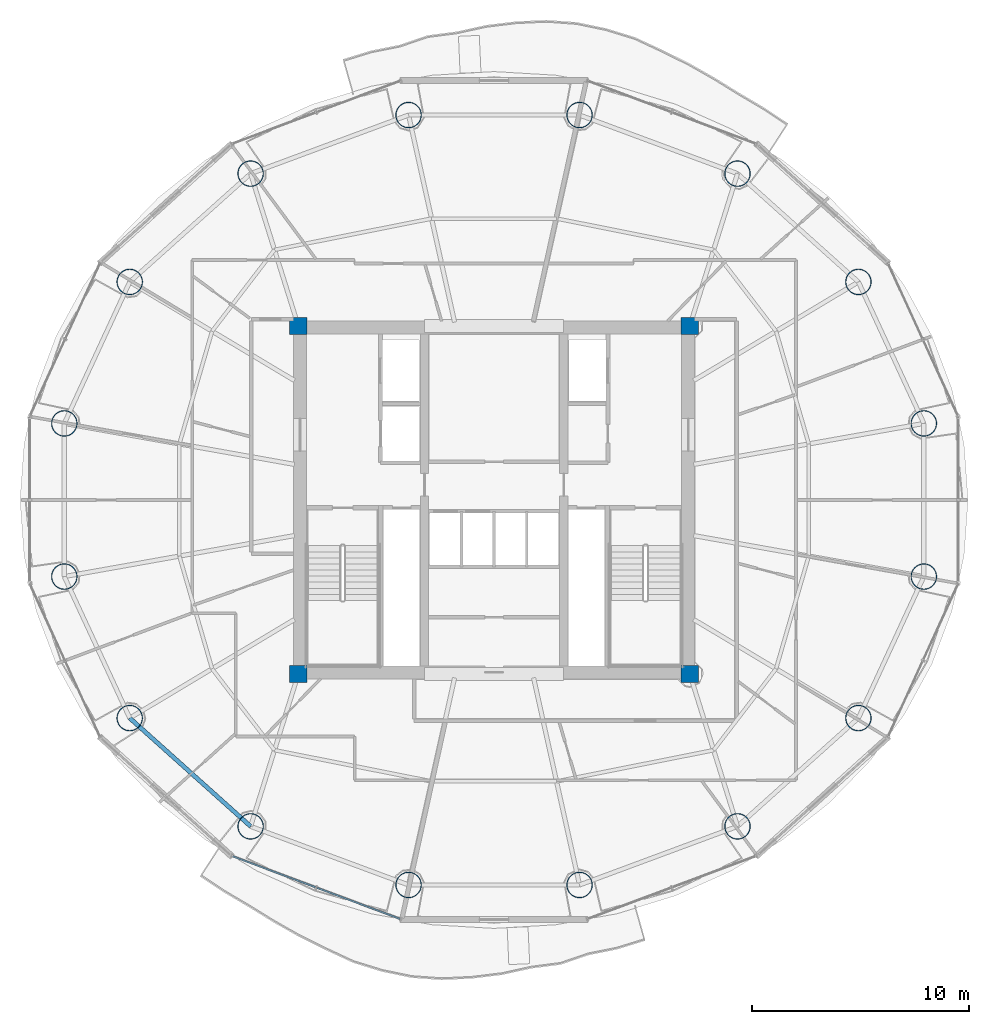
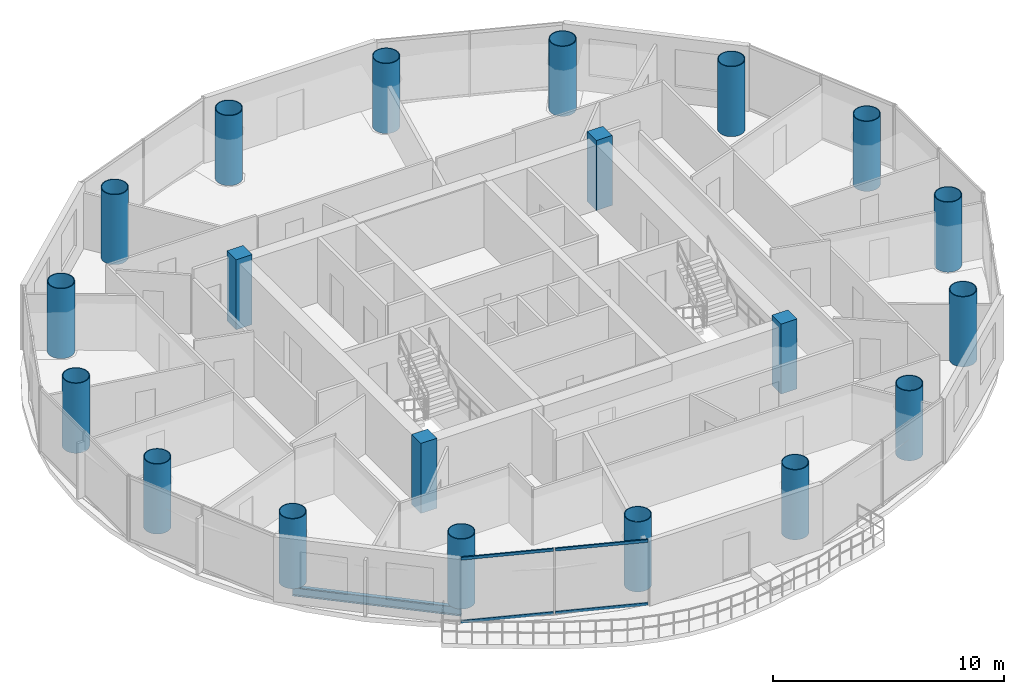
# One storey, part 1 of 26: 20 columns, 4 members, 1 beam, 1 element without a shape of its own.
"""IFC4 building model written with IfcOpenShell, lengths in metres."""

import ifcopenshell
import ifcopenshell.guid

model = None  # the IFC model being written
_history = None  # IfcOwnerHistory: only IFC2X3 demands one
_inside = {}  # id of a spatial element -> (the spatial element, [elements in it])
_under = {}  # id of a project, library or spatial element -> (it, [spatial elements below it])
_declared = {}  # id of a project -> (the project, [libraries it declares])
_typed = {}  # id of a type object -> (the type object, [elements of that type])
_made_of = {}  # id of a material, layer set ... -> (it, [elements and type objects made of it])


def new_model(schema):
    """Start an empty IFC model of exactly this schema.

    Asked for "IFC4X3", IfcOpenShell would pick the latest addendum, in which some entities
    have other attributes; the version numbers below select the first issue.
    IFC2X3 requires an IfcOwnerHistory on every rooted entity: one is made here for all.
    """
    global model, _history
    if schema == "IFC4X3":
        model = ifcopenshell.file(schema_version=(4, 3, 0, 0))
    else:
        model = ifcopenshell.file(schema=schema)
    _inside.clear()
    _under.clear()
    _declared.clear()
    _typed.clear()
    _made_of.clear()
    _history = None
    if model.schema == "IFC2X3":
        org = make("IfcOrganization", Name="unknown")
        user = make(
            "IfcPersonAndOrganization",
            ThePerson=make("IfcPerson", FamilyName="unknown"),
            TheOrganization=org,
        )
        app = make(
            "IfcApplication",
            ApplicationDeveloper=org,
            Version="unknown",
            ApplicationFullName="unknown",
            ApplicationIdentifier="unknown",
        )
        _history = make(
            "IfcOwnerHistory",
            OwningUser=user,
            OwningApplication=app,
            ChangeAction="ADDED",
            CreationDate=0,
        )
    return model


def make(cls, **values):
    """One entity of the class cls with the attributes given. An attribute that is None is left unset."""
    return model.create_entity(
        cls, **{name: value for name, value in values.items() if value is not None}
    )


def rooted(cls, **values):
    """An entity with a GlobalId (a new one), such as an element, a storey or a relation."""
    return make(cls, GlobalId=ifcopenshell.guid.new(), OwnerHistory=_history, **values)


def si_unit(unit_type, name, prefix=None):
    """IfcSIUnit, for example si_unit("LENGTHUNIT", "METRE", prefix="MILLI")."""
    return make("IfcSIUnit", UnitType=unit_type, Prefix=prefix, Name=name)


def assignment(units):
    """IfcUnitAssignment: the units of a project."""
    return None if units is None else make("IfcUnitAssignment", Units=units)


def point(xyz):
    """IfcCartesianPoint."""
    return None if xyz is None else make("IfcCartesianPoint", Coordinates=xyz)


def direction(xyz):
    """IfcDirection."""
    return None if xyz is None else make("IfcDirection", DirectionRatios=xyz)


def frame(location, z_axis=None, x_axis=None):
    """IfcAxis2Placement3D, a coordinate frame: its origin and axes. An axis left out is left unset."""
    return make(
        "IfcAxis2Placement3D",
        Location=point(location),
        Axis=direction(z_axis),
        RefDirection=direction(x_axis),
    )


def frame_2d(location, x_axis=None):
    """IfcAxis2Placement2D, a coordinate frame in the plane: its origin and x axis."""
    return make(
        "IfcAxis2Placement2D", Location=point(location), RefDirection=direction(x_axis)
    )


def origin():
    """The frame at (0, 0, 0) with its axes left unset."""
    return frame((0.0, 0.0, 0.0))


def origin_2d():
    """The frame at (0, 0) in the plane with its x axis left unset."""
    return frame_2d((0.0, 0.0))


def place(relative_to, where):
    """IfcLocalPlacement: puts the frame where relative to a parent placement (None: the world)."""
    return make(
        "IfcLocalPlacement", PlacementRelTo=relative_to, RelativePlacement=where
    )


def context(
    kind, dimensions, precision=None, world=None, true_north=None, identifier=None
):
    """IfcGeometricRepresentationContext, for example the 3D "Model" context."""
    return make(
        "IfcGeometricRepresentationContext",
        ContextIdentifier=identifier,
        ContextType=kind,
        CoordinateSpaceDimension=dimensions,
        Precision=precision,
        WorldCoordinateSystem=world,
        TrueNorth=true_north,
    )


def subcontext(parent, identifier, kind, view, scale=None):
    """IfcGeometricRepresentationSubContext, for example "Body" below "Model"."""
    return make(
        "IfcGeometricRepresentationSubContext",
        ContextIdentifier=identifier,
        ContextType=kind,
        ParentContext=parent,
        TargetScale=scale,
        TargetView=view,
    )


def project(units=None, contexts=None):
    """IfcProject with its units and contexts."""
    return rooted(
        "IfcProject",
        Name="project",
        RepresentationContexts=contexts,
        UnitsInContext=assignment(units),
    )


def spatial(cls, under=None, at=None, **own):
    """A site, building, storey or space (cls), placed at a placement, below another one or the project."""
    s = rooted(cls, ObjectPlacement=at, **own)
    if under is not None:
        _under.setdefault(under.id(), (under, []))[1].append(s)
    return s


def profile(cls, at=None, kind="AREA", **sizes):
    """A parametric profile (cls). Its sizes go by their IFC names, for example OverallWidth=200.0."""
    return make(cls, ProfileType=kind, Position=at, **sizes)


def rectangle(**sizes):
    """IfcRectangleProfileDef."""
    return profile("IfcRectangleProfileDef", **sizes)


def hollow_rectangle(**sizes):
    """IfcRectangleHollowProfileDef."""
    return profile("IfcRectangleHollowProfileDef", **sizes)


def hollow_circle(**sizes):
    """IfcCircleHollowProfileDef."""
    return profile("IfcCircleHollowProfileDef", **sizes)


def i_section(**sizes):
    """IfcIShapeProfileDef."""
    return profile("IfcIShapeProfileDef", **sizes)


def extrude(swept, where, along, depth):
    """IfcExtrudedAreaSolid: the profile swept, set in the frame where, extruded along a direction by depth."""
    return make(
        "IfcExtrudedAreaSolid",
        SweptArea=swept,
        Position=where,
        ExtrudedDirection=direction(along),
        Depth=depth,
    )


def shape(context_of_items, identifier, shape_type, items):
    """IfcShapeRepresentation: the items that make up one representation, for example the "Body"."""
    return make(
        "IfcShapeRepresentation",
        ContextOfItems=context_of_items,
        RepresentationIdentifier=identifier,
        RepresentationType=shape_type,
        Items=items,
    )


def source(mapping_origin, context_of_items, identifier, shape_type, items):
    """IfcRepresentationMap: a shape defined once, which mapped items show again and again."""
    return make(
        "IfcRepresentationMap",
        MappingOrigin=mapping_origin,
        MappedRepresentation=shape(context_of_items, identifier, shape_type, items),
    )


def transform(
    local_origin,
    x_axis=None,
    y_axis=None,
    z_axis=None,
    scale=None,
    scale2=None,
    scale3=None,
    uniform=True,
):
    """IfcCartesianTransformationOperator3D, or its non-uniform kind. x_axis, y_axis, z_axis: its Axis1, 2, 3."""
    if uniform:
        return make(
            "IfcCartesianTransformationOperator3D",
            Axis1=direction(x_axis),
            Axis2=direction(y_axis),
            LocalOrigin=point(local_origin),
            Scale=scale,
            Axis3=direction(z_axis),
        )
    return make(
        "IfcCartesianTransformationOperator3DnonUniform",
        Axis1=direction(x_axis),
        Axis2=direction(y_axis),
        LocalOrigin=point(local_origin),
        Scale=scale,
        Axis3=direction(z_axis),
        Scale2=scale2,
        Scale3=scale3,
    )


def mapped(mapping_source, mapping_target):
    """IfcMappedItem: shows the shape of a source again, moved by a transform."""
    return make(
        "IfcMappedItem", MappingSource=mapping_source, MappingTarget=mapping_target
    )


def material(Name=None, Category=None):
    """IfcMaterial."""
    return make("IfcMaterial", Name=Name, Category=Category)


def material_profile(
    of_material, cross_section, Name=None, Category=None, Priority=None
):
    """IfcMaterialProfile: a cross section and its material."""
    return make(
        "IfcMaterialProfile",
        Name=Name,
        Material=of_material,
        Profile=cross_section,
        Priority=Priority,
        Category=Category,
    )


def profile_set(profiles, Name=None, composite=None):
    """IfcMaterialProfileSet."""
    return make(
        "IfcMaterialProfileSet",
        Name=Name,
        MaterialProfiles=profiles,
        CompositeProfile=composite,
    )


def made_of(thing, what):
    """Note that an element or type object is made of a material, layer set ...; save() writes the relation."""
    if what is not None:
        _made_of.setdefault(what.id(), (what, []))[1].append(thing)
    return thing


def type_object(cls, material=None, **own):
    """A type object (cls), such as IfcWallType, which elements share."""
    return made_of(rooted(cls, **own), material)


def element(
    cls,
    number,
    at=None,
    inside=None,
    cuts=None,
    type_object=None,
    material=None,
    context=None,
    identifier="Body",
    shape_type=None,
    held_by="IfcProductDefinitionShape",
    body=None,
    shapes=None,
    **own,
):
    """One element of the class cls, such as IfcWall. Its Tag is "e" and its number.

    at: its placement. inside: the storey or other place that contains it. cuts: it is an
    opening in that element (IfcRelVoidsElement). A single representation is given by context,
    identifier, shape_type and body (its items); several are given by shapes. held_by: the class
    of the entity that holds the representations. save() writes the other relations.
    """
    e = rooted(cls, Tag="e%d" % number, ObjectPlacement=at, **own)
    if body is not None:
        shapes = [shape(context, identifier, shape_type, body)]
    if shapes is not None:
        e.Representation = make(held_by, Representations=shapes)
    if inside is not None:
        _inside.setdefault(inside.id(), (inside, []))[1].append(e)
    if cuts is not None:
        rooted(
            "IfcRelVoidsElement", RelatingBuildingElement=cuts, RelatedOpeningElement=e
        )
    if type_object is not None:
        _typed.setdefault(type_object.id(), (type_object, []))[1].append(e)
    return made_of(e, material)


def aggregate(whole, parts):
    """IfcRelAggregates: a whole, such as a stair, and the parts it consists of."""
    return rooted("IfcRelAggregates", RelatingObject=whole, RelatedObjects=parts)


def save(model, path):
    """Write the relations noted so far, then the file.

    IfcRelAggregates (storeys below a building ...), IfcRelContainedInSpatialStructure (elements
    in a storey), IfcRelDefinesByType, IfcRelAssociatesMaterial and IfcRelDeclares: one each for
    every whole, place, type object, material and project.
    """
    for whole, parts in _under.values():
        aggregate(whole, parts)
    for where, things in _inside.values():
        rooted(
            "IfcRelContainedInSpatialStructure",
            RelatedElements=things,
            RelatingStructure=where,
        )
    for kind, things in _typed.values():
        rooted("IfcRelDefinesByType", RelatedObjects=things, RelatingType=kind)
    for what, things in _made_of.values():
        rooted("IfcRelAssociatesMaterial", RelatedObjects=things, RelatingMaterial=what)
    for by, libraries in _declared.values():
        rooted("IfcRelDeclares", RelatingContext=by, RelatedDefinitions=libraries)
    model.write(path)


model = new_model("IFC4")

# Units and contexts
model_context = context("Model", 3, precision=1e-05, world=origin(), true_north=direction((-0.2419218956, 0.970295726276)))
body_context = subcontext(model_context, "Body", "Model", "MODEL_VIEW")
ifc_project = project(units=[si_unit("LENGTHUNIT", "METRE"), si_unit("AREAUNIT", "SQUARE_METRE"), si_unit("VOLUMEUNIT", "CUBIC_METRE"), si_unit("PLANEANGLEUNIT", "RADIAN"), si_unit("MASSUNIT", "GRAM", prefix="KILO")], contexts=[model_context])

# Site, building, storey
site_placement = place(None, origin())
site = spatial("IfcSite", under=ifc_project, at=site_placement, CompositionType="ELEMENT")
building_placement = place(site_placement, origin())
building = spatial("IfcBuilding", under=site, at=building_placement, Name="Cobrevalo Terracotta Tower", CompositionType="ELEMENT")
storey_placement = place(building_placement, frame((0.0, 0.0, 224.5)))
storey = spatial("IfcBuildingStorey", under=building, at=storey_placement, Name="L59", CompositionType="ELEMENT", Elevation=224.5)

# Columns
ifc_material_1 = material(Name="Steel S355", Category="steel")
ifc_material_profile_1 = material_profile(ifc_material_1, hollow_circle(Radius=0.60009765625, WallThickness=0.0380859375, at=origin_2d()), Name="CHS 1200x38")
ifc_profile_set_1 = profile_set([ifc_material_profile_1], Name="Steel S355")
column_type_1 = type_object("IfcColumnType", Name="Structural Column CHS 1200x38 (Steel S355)", PredefinedType="COLUMN", material=ifc_profile_set_1)
for number, where, z_axis, x_axis, name in (
    (1, (57.762939453125, 30.3212890625, 0.0), (0.0, 0.0, 1.0), (1.0, 0.0, 0.0), "L59 composite megacolumn MC01"),
    (2, (54.754150390625, 36.828125, 0.0), (0.0, 0.0, 1.0), (1.0, 0.0, 0.0), "L59 composite megacolumn MC02"),
    (3, (49.19482421875, 41.80810546875, 0.0), (0.0, 0.0, 1.0), (1.0, 0.0, 0.0), "L59 composite megacolumn MC03"),
    (4, (41.93115234375, 44.503173828125, 0.0), (0.0, 0.0, 1.0), (1.0, 0.0, 0.0), "L59 composite megacolumn MC04"),
    (5, (34.06884765625, 44.503173828125, 0.0), (0.0, 0.0, 1.0), (1.0, 0.0, 0.0), "L59 composite megacolumn MC05"),
    (6, (26.80517578125, 41.80810546875, 0.0), (0.0, 0.0, 1.0), (1.0, 0.0, 0.0), "L59 composite megacolumn MC06"),
    (7, (21.245849609375, 36.828125, 0.0), (0.0, 0.0, 1.0), (1.0, 0.0, 0.0), "L59 composite megacolumn MC07"),
    (8, (18.237060546875, 30.3212890625, 0.0), (0.0, 0.0, 1.0), (1.0, 0.0, 0.0), "L59 composite megacolumn MC08"),
    (9, (18.237060546875, 23.278564453125, 0.0), (0.0, 0.0, 1.0), (1.0, 0.0, 0.0), "L59 composite megacolumn MC09"),
    (10, (21.245849609375, 16.77197265625, 0.0), (0.0, 0.0, 1.0), (1.0, 0.0, 0.0), "L59 composite megacolumn MC10"),
    (11, (26.80517578125, 11.7919921875, 0.0), (0.0, 0.0, 1.0), (1.0, 0.0, 0.0), "L59 composite megacolumn MC11"),
    (12, (34.06884765625, 9.096923828125, 0.0), (0.0, 0.0, 1.0), (1.0, 0.0, 0.0), "L59 composite megacolumn MC12"),
    (13, (41.93115234375, 9.096923828125, 0.0), (0.0, 0.0, 1.0), (1.0, 0.0, 0.0), "L59 composite megacolumn MC13"),
    (14, (49.19482421875, 11.7919921875, 0.0), (0.0, 0.0, 1.0), (1.0, 0.0, 0.0), "L59 composite megacolumn MC14"),
    (15, (54.754150390625, 16.77197265625, 0.0), (0.0, 0.0, 1.0), (1.0, 0.0, 0.0), "L59 composite megacolumn MC15"),
    (16, (57.762939453125, 23.278564453125, 0.0), (0.0, 0.0, 1.0), (1.0, 0.0, 0.0), "L59 composite megacolumn MC16"),
):
    element("IfcColumn", number, at=place(storey_placement, frame(where, z_axis=z_axis, x_axis=x_axis)), inside=storey, type_object=column_type_1, Name=name, PredefinedType="COLUMN", context=body_context, shape_type="SweptSolid", body=[
        extrude(hollow_circle(Radius=0.60009765625, WallThickness=0.0380859375, at=origin_2d()), origin(), (0.0, 0.0, 1.0), 3.699951171875),
    ])
ifc_material_2 = material(Name="Concrete C50", Category="concrete")
ifc_material_profile_2 = material_profile(ifc_material_2, rectangle(XDim=0.800048828125, YDim=0.800048828125, at=origin_2d()), Name="RC COL 800x800")
ifc_profile_set_2 = profile_set([ifc_material_profile_2], Name="Concrete C50")
column_type_2 = type_object("IfcColumnType", Name="Structural Column RC COL 800x800 (Concrete C50)", PredefinedType="COLUMN", material=ifc_profile_set_2)
for number, where, z_axis, x_axis, name in (
    (17, (29.0, 18.800048828125, 0.0), (0.0, 0.0, 1.0), (1.0, 0.0, 0.0), "L59 core corner column CC1"),
    (18, (47.0, 18.800048828125, 0.0), (0.0, 0.0, 1.0), (1.0, 0.0, 0.0), "L59 core corner column CC2"),
    (19, (47.0, 34.800048828125, 0.0), (0.0, 0.0, 1.0), (1.0, 0.0, 0.0), "L59 core corner column CC3"),
    (20, (29.0, 34.800048828125, 0.0), (0.0, 0.0, 1.0), (1.0, 0.0, 0.0), "L59 core corner column CC4"),
):
    element("IfcColumn", number, at=place(storey_placement, frame(where, z_axis=z_axis, x_axis=x_axis)), inside=storey, type_object=column_type_2, Name=name, PredefinedType="COLUMN", context=body_context, shape_type="SweptSolid", body=[
        extrude(rectangle(XDim=0.800048828125, YDim=0.800048828125, at=origin_2d()), origin(), (0.0, 0.0, 1.0), 3.699951171875),
    ])

# Beam
ifc_material_profile_3 = material_profile(ifc_material_1, i_section(OverallWidth=0.194091796875, OverallDepth=0.468994140625, WebThickness=0.011474609375, FlangeThickness=0.0205078125, at=origin_2d()), Name="W 460x106")
ifc_profile_set_3 = profile_set([ifc_material_profile_3], Name="Steel S355")
beam_type = type_object("IfcBeamType", Name="Structural Spandrel W 460x106 (Steel S355)", PredefinedType="SPANDREL", material=ifc_profile_set_3)
beam_placement = place(storey_placement, frame((21.245849609375, 16.77197265625, -0.49951171875), z_axis=(0.744851930997, -0.667229796165, 0.0), x_axis=(0.667229796165, 0.744851930997, 0.0)))
element("IfcBeam", 21, at=beam_placement, inside=storey, type_object=beam_type, Name="L59 perimeter ring spandrel 10", PredefinedType="SPANDREL", context=body_context, shape_type="SweptSolid", body=[
    extrude(i_section(OverallWidth=0.194091796875, OverallDepth=0.468994140625, WebThickness=0.011474609375, FlangeThickness=0.0205078125, at=origin_2d()), origin(), (0.0, 0.0, 1.0), 7.463623046875),
])

# Curtain wall, members
ifc_material_3 = material(Name="Anodized aluminium", Category="aluminium")
curtain_wall_type = type_object("IfcCurtainWallType", Name="Mid-tower high-wind unitised curtain wall CW-U2", PredefinedType="NOTDEFINED", material=ifc_material_3)
curtain_wall_placement = place(storey_placement, origin())
curtain_wall = element("IfcCurtainWall", 22, at=curtain_wall_placement, inside=storey, type_object=curtain_wall_type, Name="L59 curtain wall CW-L59-S11", PredefinedType="NOTDEFINED")
ifc_material_profile_4 = material_profile(ifc_material_3, hollow_rectangle(XDim=0.074951171875, YDim=0.14990234375, WallThickness=0.00439453125, at=origin_2d()), Name="CWT 75x150")
ifc_profile_set_4 = profile_set([ifc_material_profile_4], Name="Anodized aluminium")
member_type = type_object("IfcMemberType", Name="Tower unitised aluminium transom 75x150", PredefinedType="USERDEFINED", material=ifc_profile_set_4)
shared_shape_1 = source(origin(), body_context, "Body", "SweptSolid", [
    extrude(hollow_rectangle(XDim=0.074951171875, YDim=0.14990234375, WallThickness=0.00439453125, at=origin_2d()), origin(), (0.0, 0.0, 1.0), 4.069580078125),
])
member_1_placement = place(storey_placement, frame((25.980224609375, 10.4169921875, 0.050048828125), z_axis=(0.936548420649, -0.350538237259, 0.0), x_axis=(0.350538237259, 0.936548420649, 0.0)))
member_1 = element("IfcMember", 23, at=member_1_placement, type_object=member_type, Name="CW-L59-S11 transom B01-T1", ObjectType="TRANSOM", PredefinedType="USERDEFINED", context=body_context, shape_type="MappedRepresentation", body=[
    mapped(shared_shape_1, transform((0.0, 0.0, 0.0), scale=1.0)),
])
member_2_placement = place(storey_placement, frame((25.980224609375, 10.4169921875, 3.385009765625), z_axis=(0.936548420649, -0.350538237259, 0.0), x_axis=(0.350538237259, 0.936548420649, 0.0)))
member_2 = element("IfcMember", 24, at=member_2_placement, type_object=member_type, Name="CW-L59-S11 transom B01-T2", ObjectType="TRANSOM", PredefinedType="USERDEFINED", context=body_context, shape_type="MappedRepresentation", body=[
    mapped(shared_shape_1, transform((0.0, 0.0, 0.0), scale=1.0)),
])
shared_shape_2 = source(origin(), body_context, "Body", "SweptSolid", [
    extrude(hollow_rectangle(XDim=0.074951171875, YDim=0.14990234375, WallThickness=0.00439453125, at=origin_2d()), origin(), (0.0, 0.0, 1.0), 4.06982421875),
])
member_3_placement = place(storey_placement, frame((29.866455078125, 8.96240234375, 0.050048828125), z_axis=(0.936555791772, -0.350518542873, 0.0), x_axis=(0.350518542873, 0.936555791772, 0.0)))
member_3 = element("IfcMember", 25, at=member_3_placement, type_object=member_type, Name="CW-L59-S11 transom B02-T1", ObjectType="TRANSOM", PredefinedType="USERDEFINED", context=body_context, shape_type="MappedRepresentation", body=[
    mapped(shared_shape_2, transform((0.0, 0.0, 0.0), scale=1.0)),
])
member_4_placement = place(storey_placement, frame((29.866455078125, 8.96240234375, 3.385009765625), z_axis=(0.936555791772, -0.350518542873, 0.0), x_axis=(0.350518542873, 0.936555791772, 0.0)))
member_4 = element("IfcMember", 26, at=member_4_placement, type_object=member_type, Name="CW-L59-S11 transom B02-T2", ObjectType="TRANSOM", PredefinedType="USERDEFINED", context=body_context, shape_type="MappedRepresentation", body=[
    mapped(shared_shape_2, transform((0.0, 0.0, 0.0), scale=1.0)),
])
aggregate(curtain_wall, [member_1, member_2, member_3, member_4])

save(model, "model.ifc")
